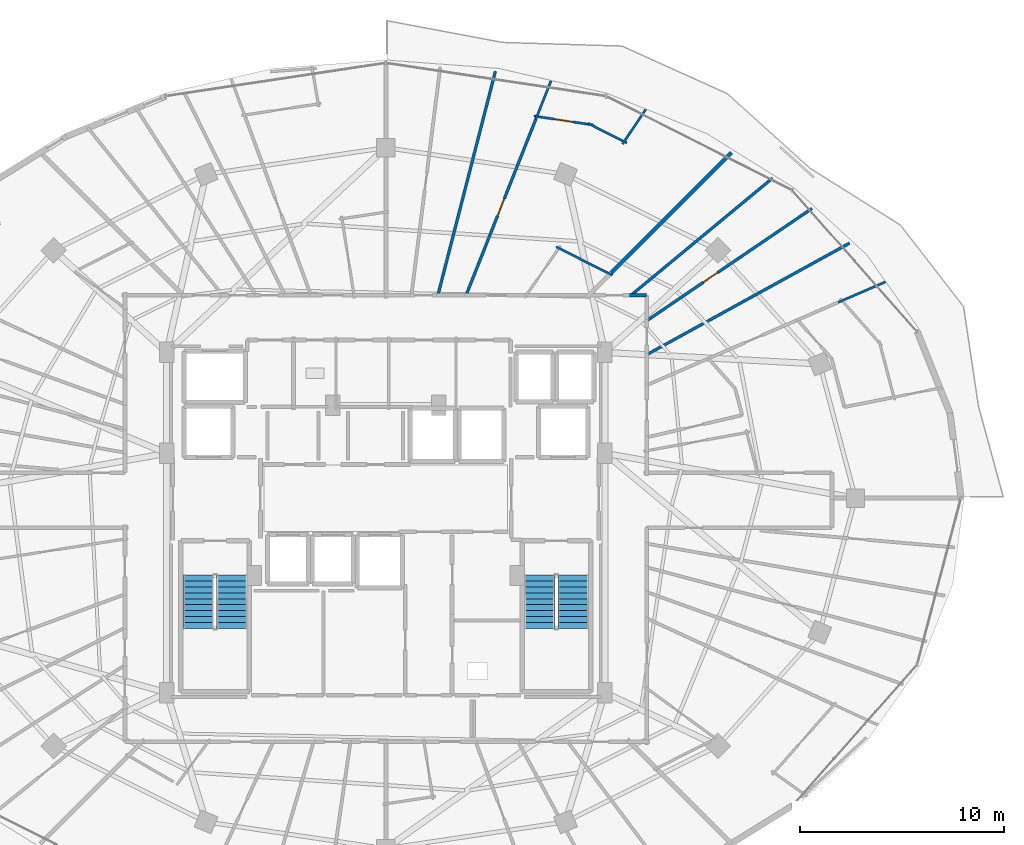
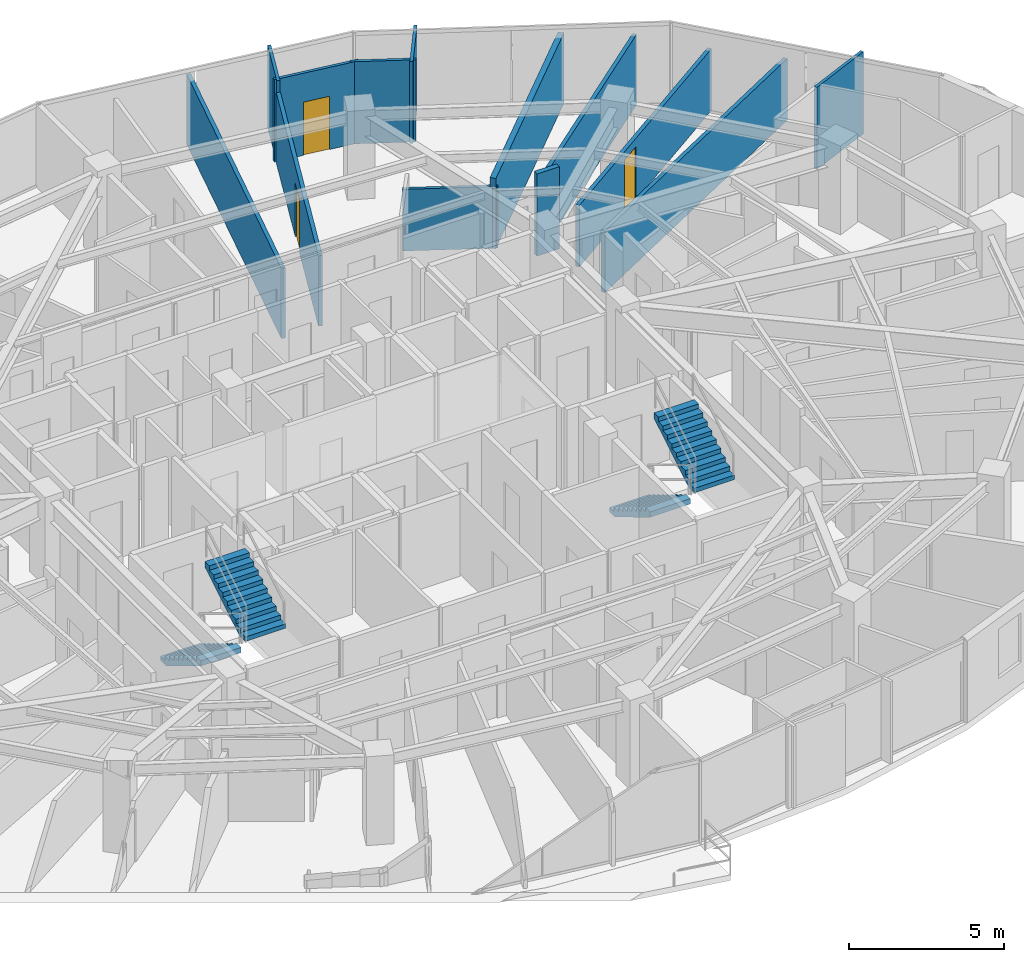
# One storey, part 31 of 34: 13 walls, 4 stair flights, 3 doors, 3 openings, 2 elements without a shape of their own.
"""IFC4 building model written with IfcOpenShell, lengths in metres."""

from ifc_helpers import new_model, si_unit, direction, frame, frame_2d, origin, place, context, subcontext, project, spatial, polyline, rectangle, outline, extrude, material, layer, layer_set, type_object, element, fill, aggregate, save


model = new_model("IFC4")

# Units and contexts
model_context = context("Model", 3, precision=1e-05, world=origin(), true_north=direction((0.0, 1.0)))
body_context = subcontext(model_context, "Body", "Model", "MODEL_VIEW")
ifc_project = project(units=[si_unit("LENGTHUNIT", "METRE"), si_unit("AREAUNIT", "SQUARE_METRE"), si_unit("VOLUMEUNIT", "CUBIC_METRE"), si_unit("PLANEANGLEUNIT", "RADIAN"), si_unit("MASSUNIT", "GRAM", prefix="KILO")], contexts=[model_context])

# Site, building, storey
site_placement = place(None, origin())
site = spatial("IfcSite", under=ifc_project, at=site_placement, CompositionType="ELEMENT")
building_placement = place(site_placement, origin())
building = spatial("IfcBuilding", under=site, at=building_placement, Name="Vorneva Point Tower", CompositionType="ELEMENT")
storey_placement = place(building_placement, frame((0.0, 0.0, 186.10009765625)))
storey = spatial("IfcBuildingStorey", under=building, at=storey_placement, Name="L50", CompositionType="ELEMENT", Elevation=186.10009765625)

# Walls
ifc_material_1 = material(Name="Fire-rated acoustic gypsum stud partition", Category="gypsum")
ifc_layer_1 = layer(ifc_material_1, 0.110107421875)
ifc_layer_set_1 = layer_set([ifc_layer_1], Name="Fire-rated acoustic gypsum stud partition")
wall_type_1 = type_object("IfcWallType", Name="WL-PART-110", PredefinedType="PARTITIONING", material=ifc_layer_set_1)
wall_1_placement = place(storey_placement, frame((60.20751953125, 35.609375, 0.0), z_axis=(0.0, 0.0, 1.0), x_axis=(0.917692098887, 0.397292350341, 0.0)))
element("IfcWall", 1, at=wall_1_placement, inside=storey, type_object=wall_type_1, Name="L50 Interior Partition 103", PredefinedType="PARTITIONING", context=body_context, shape_type="SweptSolid", body=[
    extrude(rectangle(XDim=2.5224609375, YDim=0.110107421875, at=frame_2d((1.26123046875, 0.0))), origin(), (0.0, 0.0, 1.0), 3.239990234375),
])
wall_2_placement = place(storey_placement, frame((46.369140625, 38.328125, 0.0), z_axis=(0.0, 0.0, 1.0), x_axis=(0.892472891666, -0.451101028199, 0.0)))
element("IfcWall", 2, at=wall_2_placement, inside=storey, type_object=wall_type_1, Name="L50 Interior Partition 118", PredefinedType="PARTITIONING", context=body_context, shape_type="SweptSolid", body=[
    extrude(rectangle(XDim=3.08642578125, YDim=0.110107421875, at=frame_2d((1.543212890625, 0.0))), origin(), (0.0, 0.0, 1.0), 2.431884765625),
])
wall_3_placement = place(storey_placement, frame((49.823974609375, 43.432861328125, 0.0), z_axis=(0.0, 0.0, 1.0), x_axis=(-0.892614331311, 0.450821090388, 0.0)))
element("IfcWall", 3, at=wall_3_placement, inside=storey, type_object=wall_type_1, Name="L50 Interior Partition 119", PredefinedType="PARTITIONING", context=body_context, shape_type="SweptSolid", body=[
    extrude(rectangle(XDim=2.136474609375, YDim=0.110107421875, at=frame_2d((1.068359375, 0.0))), origin(), (0.0, 0.0, 1.0), 3.239990234375),
])

# Wall, opening, door
wall_4_placement = place(storey_placement, frame((48.180419921875, 44.31201171875, 0.0), z_axis=(0.0, 0.0, 1.0), x_axis=(-0.988815285508, 0.149145335648, 0.0)))
wall_4 = element("IfcWall", 4, at=wall_4_placement, inside=storey, type_object=wall_type_1, Name="L50 Interior Partition 120", PredefinedType="PARTITIONING", context=body_context, shape_type="SweptSolid", body=[
    extrude(rectangle(XDim=2.936767578125, YDim=0.110107421875, at=frame_2d((1.46826171875, 0.0))), origin(), (0.0, 0.0, 1.0), 3.239990234375),
])
opening_1_placement = place(wall_4_placement, frame((1.018310546875, 0.0, 0.0)))
opening_1 = element("IfcOpeningElement", 5, at=opening_1_placement, cuts=wall_4, Name="Opening ID-01", PredefinedType="OPENING", context=body_context, shape_type="SweptSolid", body=[
    extrude(rectangle(XDim=0.89990234375, YDim=2.10009765625, at=frame_2d((0.449951171875, 1.050048828125))), frame((0.0, 0.06982421875, 0.0), z_axis=(0.0, -1.0, 0.0), x_axis=(1.0, 0.0, 0.0)), (0.0, 0.0, 1.0), 0.139892578125),
])
ifc_material_2 = material(Name="Engineered oak fire-rated door leaf", Category="wood")
door_type_1 = type_object("IfcDoorType", Name="DR-ROOM-900", OperationType="NOTDEFINED", PredefinedType="DOOR", material=ifc_material_2)
door_1_placement = place(opening_1_placement, origin())
door_1 = element("IfcDoor", 6, at=door_1_placement, inside=storey, type_object=door_type_1, Name="L50 Door Living and Dining Room L50-02 / Kitchen L50-02", OperationType="SINGLE_SWING_RIGHT", OverallHeight=2.10009765625, OverallWidth=0.89990234375, PredefinedType="DOOR", context=body_context, shape_type="SweptSolid", body=[
    extrude(rectangle(XDim=0.89990234375, YDim=2.10009765625, at=frame_2d((0.449951171875, 1.050048828125))), frame((0.0, 0.02490234375, 0.0), z_axis=(0.0, -1.0, 0.0), x_axis=(1.0, 0.0, 0.0)), (0.0, 0.0, 1.0), 0.050048828125),
])
fill(opening_1, door_1)

# Walls
wall_5_placement = place(storey_placement, frame((45.363525390625, 44.598876953125, 0.0), z_axis=(0.0, 0.0, 1.0), x_axis=(0.368148258243, 0.929767099844, 0.0)))
element("IfcWall", 7, at=wall_5_placement, inside=storey, type_object=wall_type_1, Name="L50 Interior Partition 121", PredefinedType="PARTITIONING", context=body_context, shape_type="SweptSolid", body=[
    extrude(rectangle(XDim=2.026611328125, YDim=0.110107421875, at=frame_2d((1.01318359375, 0.0))), origin(), (0.0, 0.0, 1.0), 3.239990234375),
])
wall_6_placement = place(storey_placement, frame((50.7578125, 45.081298828125, 0.0), z_axis=(0.0, 0.0, 1.0), x_axis=(-0.55538833369, -0.831591124773, 0.0)))
element("IfcWall", 8, at=wall_6_placement, inside=storey, type_object=wall_type_1, Name="L50 Interior Partition 122", PredefinedType="PARTITIONING", context=body_context, shape_type="SweptSolid", body=[
    extrude(rectangle(XDim=2.04638671875, YDim=0.110107421875, at=frame_2d((1.023193359375, 0.0))), origin(), (0.0, 0.0, 1.0), 3.239990234375),
])
ifc_layer_2 = layer(ifc_material_1, 0.139892578125)
ifc_layer_set_2 = layer_set([ifc_layer_2], Name="Fire-rated acoustic gypsum stud partition")
wall_type_2 = type_object("IfcWallType", Name="WL-PART-140", PredefinedType="PARTITIONING", material=ifc_layer_set_2)
wall_7_placement = place(storey_placement, frame((60.760986328125, 38.512939453125, 0.0), z_axis=(0.0, 0.0, 1.0), x_axis=(-0.876315654865, -0.481737348602, 0.0)))
element("IfcWall", 9, at=wall_7_placement, inside=storey, type_object=wall_type_2, Name="L50 Interior Partition 112", PredefinedType="PARTITIONING", context=body_context, shape_type="SweptSolid", body=[
    extrude(rectangle(XDim=11.366943359375, YDim=0.139892578125, at=frame_2d((5.68359375, 0.0))), origin(), (0.0, 0.0, 1.0), 2.431884765625),
])

# Wall, opening, door
wall_8_placement = place(storey_placement, frame((58.9169921875, 40.215087890625, 0.0), z_axis=(0.0, 0.0, 1.0), x_axis=(-0.827087951184, -0.562072522906, 0.0)))
wall_8 = element("IfcWall", 10, at=wall_8_placement, inside=storey, type_object=wall_type_2, Name="L50 Interior Partition 113", PredefinedType="PARTITIONING", context=body_context, shape_type="SweptSolid", body=[
    extrude(rectangle(XDim=9.81396484375, YDim=0.139892578125, at=frame_2d((4.906982421875, 0.0))), origin(), (0.0, 0.0, 1.0), 2.431884765625),
])
opening_2_placement = place(wall_8_placement, frame((5.601806640625, 0.0, 0.0)))
opening_2 = element("IfcOpeningElement", 11, at=opening_2_placement, cuts=wall_8, Name="Opening ID-02", PredefinedType="OPENING", context=body_context, shape_type="SweptSolid", body=[
    extrude(rectangle(XDim=0.85009765625, YDim=2.10009765625, at=frame_2d((0.425048828125, 1.050048828125))), frame((0.0, 0.0849609375, 0.0), z_axis=(0.0, -1.0, 0.0), x_axis=(1.0, 0.0, 0.0)), (0.0, 0.0, 1.0), 0.169677734375),
])
door_type_2 = type_object("IfcDoorType", Name="DR-BATH-850", OperationType="NOTDEFINED", PredefinedType="DOOR", material=ifc_material_2)
door_2_placement = place(opening_2_placement, origin())
door_2 = element("IfcDoor", 12, at=door_2_placement, inside=storey, type_object=door_type_2, Name="L50 Access Door Bedroom L50-01.2", OperationType="SINGLE_SWING_RIGHT", OverallHeight=2.10009765625, OverallWidth=0.85009765625, PredefinedType="DOOR", context=body_context, shape_type="SweptSolid", body=[
    extrude(rectangle(XDim=0.85009765625, YDim=2.10009765625, at=frame_2d((0.425048828125, 1.050048828125))), frame((0.0, 0.02490234375, 0.0), z_axis=(0.0, -1.0, 0.0), x_axis=(1.0, 0.0, 0.0)), (0.0, 0.0, 1.0), 0.050048828125),
])
fill(opening_2, door_2)

# Wall
wall_9_placement = place(storey_placement, frame((56.97998046875, 41.701904296875, 0.0), z_axis=(0.0, 0.0, 1.0), x_axis=(-0.770511618294, -0.637425953405, 0.0)))
element("IfcWall", 13, at=wall_9_placement, inside=storey, type_object=wall_type_2, Name="L50 Interior Partition 114", PredefinedType="PARTITIONING", context=body_context, shape_type="SweptSolid", body=[
    extrude(rectangle(XDim=9.023681640625, YDim=0.139892578125, at=frame_2d((4.51171875, 0.0))), origin(), (0.0, 0.0, 1.0), 2.77392578125),
])

# Wall, opening, door
wall_10_placement = place(storey_placement, frame((45.36328125, 44.598876953125, 0.0), z_axis=(0.0, 0.0, 1.0), x_axis=(-0.368121248273, -0.929777794191, 0.0)))
wall_10 = element("IfcWall", 14, at=wall_10_placement, inside=storey, type_object=wall_type_2, Name="L50 Interior Partition 123", PredefinedType="PARTITIONING", context=body_context, shape_type="SweptSolid", body=[
    extrude(rectangle(XDim=9.30224609375, YDim=0.139892578125, at=frame_2d((4.651123046875, 0.0))), origin(), (0.0, 0.0, 1.0), 2.77392578125),
])
opening_3_placement = place(wall_10_placement, frame((4.200927734375, 0.0, 0.0)))
opening_3 = element("IfcOpeningElement", 15, at=opening_3_placement, cuts=wall_10, Name="Opening ID-01", PredefinedType="OPENING", context=body_context, shape_type="SweptSolid", body=[
    extrude(rectangle(XDim=0.89990234375, YDim=2.10009765625, at=frame_2d((0.449951171875, 1.050048828125))), frame((0.0, 0.0849609375, 0.0), z_axis=(0.0, -1.0, 0.0), x_axis=(1.0, 0.0, 0.0)), (0.0, 0.0, 1.0), 0.169677734375),
])
door_3_placement = place(opening_3_placement, origin())
door_3 = element("IfcDoor", 16, at=door_3_placement, inside=storey, type_object=door_type_1, Name="L50 Door Living and Dining Room L50-02 / Master Bedroom L50-02.1", OperationType="SINGLE_SWING_LEFT", OverallHeight=2.10009765625, OverallWidth=0.89990234375, PredefinedType="DOOR", context=body_context, shape_type="SweptSolid", body=[
    extrude(rectangle(XDim=0.89990234375, YDim=2.10009765625, at=frame_2d((0.449951171875, 1.050048828125))), frame((0.0, 0.02490234375, 0.0), z_axis=(0.0, -1.0, 0.0), x_axis=(1.0, 0.0, 0.0)), (0.0, 0.0, 1.0), 0.050048828125),
])
fill(opening_3, door_3)

# Walls
wall_11_placement = place(storey_placement, frame((43.37890625, 46.947998046875, 0.0), z_axis=(0.0, 0.0, 1.0), x_axis=(-0.248702786244, -0.968579849116, 0.0)))
element("IfcWall", 17, at=wall_11_placement, inside=storey, type_object=wall_type_2, Name="L50 Interior Partition 124", PredefinedType="PARTITIONING", context=body_context, shape_type="SweptSolid", body=[
    extrude(rectangle(XDim=11.354736328125, YDim=0.139892578125, at=frame_2d((5.67724609375, 0.0))), origin(), (0.0, 0.0, 1.0), 2.77392578125),
])
ifc_material_3 = material(Name="Autoclaved aerated concrete blockwork", Category="masonry")
ifc_layer_3 = layer(ifc_material_3, 0.179931640625)
ifc_layer_set_3 = layer_set([ifc_layer_3], Name="Autoclaved aerated concrete blockwork")
wall_type_3 = type_object("IfcWallType", Name="WL-PART-180", PredefinedType="PARTITIONING", material=ifc_layer_set_3)
wall_12_placement = place(storey_placement, frame((50.800048828125, 35.949951171875, 0.0), z_axis=(0.0, 0.0, 1.0), x_axis=(-1.0, 0.0, 0.0)))
element("IfcWall", 18, at=wall_12_placement, inside=storey, type_object=wall_type_3, Name="L50 Interior Partition 043", PredefinedType="PARTITIONING", context=body_context, shape_type="SweptSolid", body=[
    extrude(rectangle(XDim=0.8330078125, YDim=0.179931640625, at=frame_2d((0.41650390625, 0.0))), origin(), (0.0, 0.0, 1.0), 3.239990234375),
])
ifc_layer_4 = layer(ifc_material_3, 0.199951171875)
ifc_layer_set_4 = layer_set([ifc_layer_4], Name="Autoclaved aerated concrete blockwork")
wall_type_4 = type_object("IfcWallType", Name="WL-PART-200", PredefinedType="PARTITIONING", material=ifc_layer_set_4)
wall_13_placement = place(storey_placement, frame((54.958984375, 42.958984375, 0.0), z_axis=(0.0, 0.0, 1.0), x_axis=(-0.707106781187, -0.707106781187, 0.0)))
element("IfcWall", 19, at=wall_13_placement, inside=storey, type_object=wall_type_4, Name="L50 Interior Partition 115", PredefinedType="PARTITIONING", context=body_context, shape_type="SweptSolid", body=[
    extrude(rectangle(XDim=8.4921875, YDim=0.199951171875, at=frame_2d((4.24609375, 0.0))), origin(), (0.0, 0.0, 1.0), 2.77392578125),
])

# Stair, stair flights
ifc_material_4 = material(Name="Concrete B50 (C40/50)", Category="concrete")
stair_type = type_object("IfcStairType", Name="ST-DOG-1500", PredefinedType="HALF_TURN_STAIR", material=ifc_material_4)
stair_1_placement = place(storey_placement, origin())
stair_1 = element("IfcStair", 20, at=stair_1_placement, inside=storey, type_object=stair_type, Name="L50 ST1", PredefinedType="HALF_TURN_STAIR")
stair_flight_type = type_object("IfcStairFlightType", Name="STF-1500", PredefinedType="STRAIGHT", material=ifc_material_4)
stair_flight_1_placement = place(storey_placement, frame((28.800048828125, 22.219970703125, 0.0), z_axis=(0.0, 0.0, 1.0), x_axis=(0.0, -1.0, 0.0)))
stair_flight_1 = element("IfcStairFlight", 21, at=stair_flight_1_placement, type_object=stair_flight_type, Name="ST1 flight 1", NumberOfRisers=10, NumberOfTreads=9, PredefinedType="STRAIGHT", RiserHeight=0.175, TreadLength=0.29, context=body_context, shape_type="SweptSolid", body=[
    extrude(outline(polyline([(0.0, 0.0), (0.0, 0.175048828125), (0.2900390625, 0.175048828125), (0.2900390625, 0.35009765625), (0.580078125, 0.35009765625), (0.580078125, 0.52490234375), (0.8701171875, 0.52490234375), (0.8701171875, 0.699951171875), (1.159912109375, 0.699951171875), (1.159912109375, 0.875), (1.449951171875, 0.875), (1.449951171875, 1.050048828125), (1.739990234375, 1.050048828125), (1.739990234375, 1.22509765625), (2.030029296875, 1.22509765625), (2.030029296875, 1.39990234375), (2.320068359375, 1.39990234375), (2.320068359375, 1.574951171875), (2.610107421875, 1.574951171875), (2.610107421875, 1.75), (2.610107421875, 1.36474609375), (0.34814453125, 0.0), (0.0, 0.0)])), frame((0.0, 0.75, 0.0), z_axis=(0.0, -1.0, 0.0), x_axis=(1.0, 0.0, 0.0)), (0.0, 0.0, 1.0), 1.5),
])
stair_flight_2_placement = place(storey_placement, frame((30.449951171875, 19.610107421875, 1.75), z_axis=(0.0, 0.0, 1.0), x_axis=(0.0, 1.0, 0.0)))
stair_flight_2 = element("IfcStairFlight", 22, at=stair_flight_2_placement, type_object=stair_flight_type, Name="ST1 flight 2", NumberOfRisers=10, NumberOfTreads=9, PredefinedType="STRAIGHT", RiserHeight=0.175, TreadLength=0.29, context=body_context, shape_type="SweptSolid", body=[
    extrude(outline(polyline([(0.0, 0.0), (0.0, 0.175048828125), (0.2900390625, 0.175048828125), (0.2900390625, 0.35009765625), (0.580078125, 0.35009765625), (0.580078125, 0.52490234375), (0.8701171875, 0.52490234375), (0.8701171875, 0.699951171875), (1.159912109375, 0.699951171875), (1.159912109375, 0.875), (1.449951171875, 0.875), (1.449951171875, 1.050048828125), (1.739990234375, 1.050048828125), (1.739990234375, 1.22509765625), (2.030029296875, 1.22509765625), (2.030029296875, 1.39990234375), (2.320068359375, 1.39990234375), (2.320068359375, 1.574951171875), (2.610107421875, 1.574951171875), (2.610107421875, 1.75), (2.610107421875, 1.36474609375), (0.34814453125, 0.0), (0.0, 0.0)])), frame((0.0, 0.75, 0.0), z_axis=(0.0, -1.0, 0.0), x_axis=(1.0, 0.0, 0.0)), (0.0, 0.0, 1.0), 1.5),
])
aggregate(stair_1, [stair_flight_1, stair_flight_2])

stair_2_placement = place(storey_placement, origin())
stair_2 = element("IfcStair", 23, at=stair_2_placement, inside=storey, type_object=stair_type, Name="L50 ST2", PredefinedType="HALF_TURN_STAIR")
stair_flight_3_placement = place(storey_placement, frame((45.550048828125, 22.219970703125, 0.0), z_axis=(0.0, 0.0, 1.0), x_axis=(0.0, -1.0, 0.0)))
stair_flight_3 = element("IfcStairFlight", 24, at=stair_flight_3_placement, type_object=stair_flight_type, Name="ST2 flight 1", NumberOfRisers=10, NumberOfTreads=9, PredefinedType="STRAIGHT", RiserHeight=0.175, TreadLength=0.29, context=body_context, shape_type="SweptSolid", body=[
    extrude(outline(polyline([(0.0, 0.0), (0.0, 0.175048828125), (0.2900390625, 0.175048828125), (0.2900390625, 0.35009765625), (0.580078125, 0.35009765625), (0.580078125, 0.52490234375), (0.8701171875, 0.52490234375), (0.8701171875, 0.699951171875), (1.159912109375, 0.699951171875), (1.159912109375, 0.875), (1.449951171875, 0.875), (1.449951171875, 1.050048828125), (1.739990234375, 1.050048828125), (1.739990234375, 1.22509765625), (2.030029296875, 1.22509765625), (2.030029296875, 1.39990234375), (2.320068359375, 1.39990234375), (2.320068359375, 1.574951171875), (2.610107421875, 1.574951171875), (2.610107421875, 1.75), (2.610107421875, 1.36474609375), (0.34814453125, 0.0), (0.0, 0.0)])), frame((0.0, 0.75, 0.0), z_axis=(0.0, -1.0, 0.0), x_axis=(1.0, 0.0, 0.0)), (0.0, 0.0, 1.0), 1.5),
])
stair_flight_4_placement = place(storey_placement, frame((47.199951171875, 19.610107421875, 1.75), z_axis=(0.0, 0.0, 1.0), x_axis=(0.0, 1.0, 0.0)))
stair_flight_4 = element("IfcStairFlight", 25, at=stair_flight_4_placement, type_object=stair_flight_type, Name="ST2 flight 2", NumberOfRisers=10, NumberOfTreads=9, PredefinedType="STRAIGHT", RiserHeight=0.175, TreadLength=0.29, context=body_context, shape_type="SweptSolid", body=[
    extrude(outline(polyline([(0.0, 0.0), (0.0, 0.175048828125), (0.2900390625, 0.175048828125), (0.2900390625, 0.35009765625), (0.580078125, 0.35009765625), (0.580078125, 0.52490234375), (0.8701171875, 0.52490234375), (0.8701171875, 0.699951171875), (1.159912109375, 0.699951171875), (1.159912109375, 0.875), (1.449951171875, 0.875), (1.449951171875, 1.050048828125), (1.739990234375, 1.050048828125), (1.739990234375, 1.22509765625), (2.030029296875, 1.22509765625), (2.030029296875, 1.39990234375), (2.320068359375, 1.39990234375), (2.320068359375, 1.574951171875), (2.610107421875, 1.574951171875), (2.610107421875, 1.75), (2.610107421875, 1.36474609375), (0.34814453125, 0.0), (0.0, 0.0)])), frame((0.0, 0.75, 0.0), z_axis=(0.0, -1.0, 0.0), x_axis=(1.0, 0.0, 0.0)), (0.0, 0.0, 1.0), 1.5),
])
aggregate(stair_2, [stair_flight_3, stair_flight_4])

save(model, "model.ifc")
